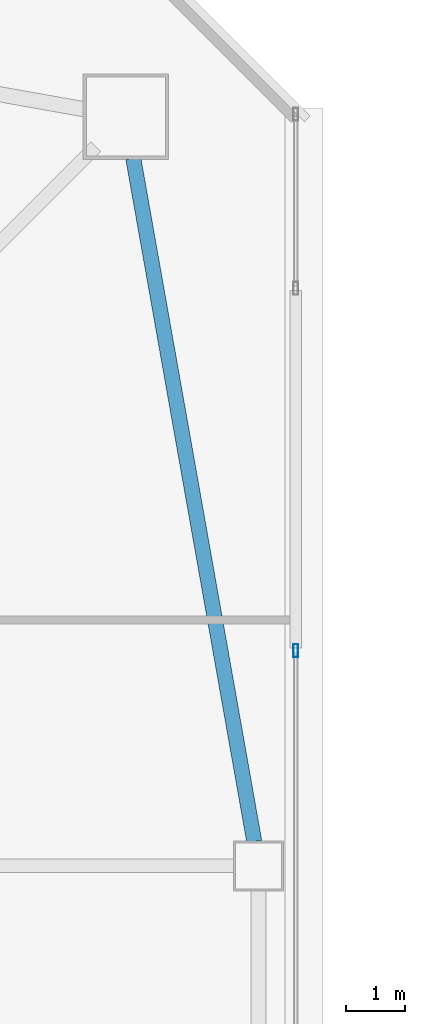
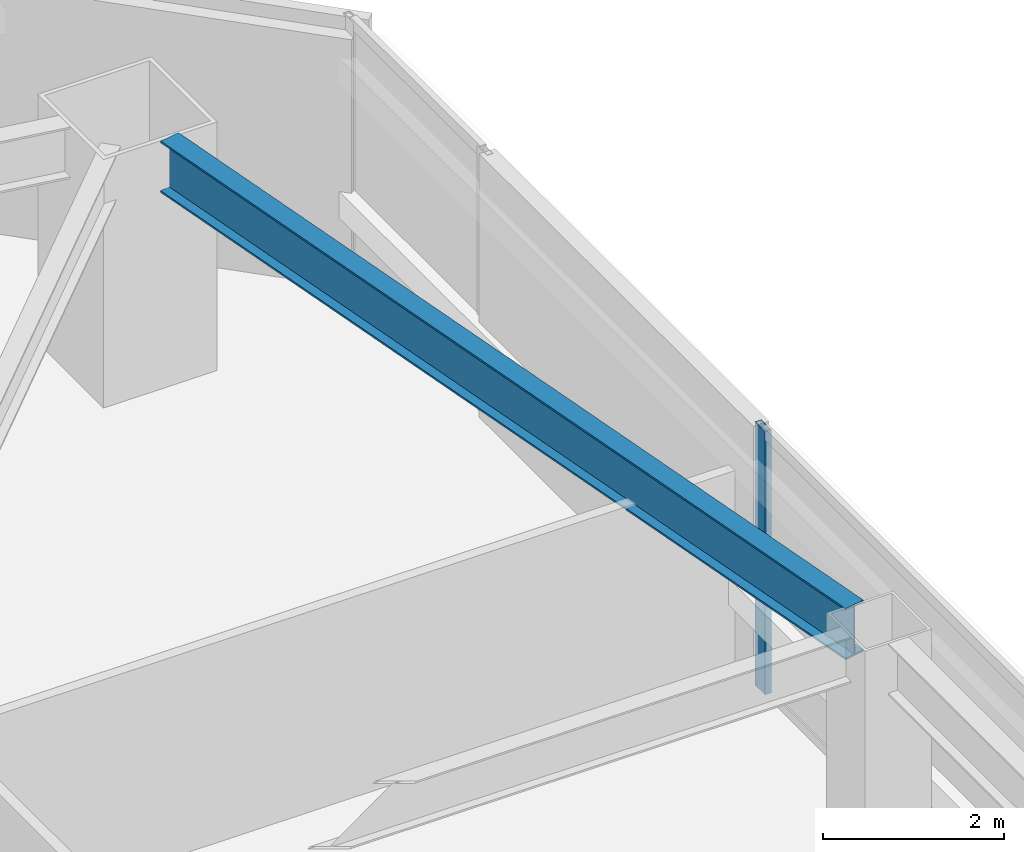
# One storey, part 17 of 48: 1 beam, 1 member, 1 element without a shape of its own.
"""IFC4 building model written with IfcOpenShell, lengths in metres."""

from ifc_helpers import new_model, si_unit, direction, frame, origin, origin_2d, place, context, subcontext, project, spatial, hollow_rectangle, i_section, extrude, material, material_profile, profile_set, type_object, element, aggregate, save


model = new_model("IFC4")

# Units and contexts
model_context = context("Model", 3, precision=1e-05, world=origin(), true_north=direction((0.0, 1.0)))
body_context = subcontext(model_context, "Body", "Model", "MODEL_VIEW")
ifc_project = project(units=[si_unit("LENGTHUNIT", "METRE"), si_unit("AREAUNIT", "SQUARE_METRE"), si_unit("VOLUMEUNIT", "CUBIC_METRE"), si_unit("PLANEANGLEUNIT", "RADIAN"), si_unit("MASSUNIT", "GRAM", prefix="KILO")], contexts=[model_context])

# Site, building, storey
site_placement = place(None, origin())
site = spatial("IfcSite", under=ifc_project, at=site_placement, CompositionType="ELEMENT")
building_placement = place(site_placement, origin())
building = spatial("IfcBuilding", under=site, at=building_placement, Name="Tashvorn Skyway Center", CompositionType="ELEMENT")
storey_placement = place(building_placement, frame((0.0, 0.0, 77.85009765625)))
storey = spatial("IfcBuildingStorey", under=building, at=storey_placement, Name="L20", CompositionType="ELEMENT", Elevation=77.85009765625)

# Beam
ifc_material_1 = material(Name="Steel ASTM A992 Grade 50", Category="steel")
ifc_material_profile_1 = material_profile(ifc_material_1, i_section(OverallWidth=0.256103515625, OverallDepth=0.693115234375, WebThickness=0.014404296875, FlangeThickness=0.023681640625, at=origin_2d()), Name="W27X114")
ifc_profile_set_1 = profile_set([ifc_material_profile_1], Name="Steel ASTM A992 Grade 50")
beam_type = type_object("IfcBeamType", Name="BM-SPANDREL-W27X114", PredefinedType="SPANDREL", material=ifc_profile_set_1)
beam_placement = place(storey_placement, frame((62.276611328125, 37.8134765625, 3.00341796875), z_axis=(-0.174437966698, 0.98466816531, 0.0), x_axis=(-0.98466816531, -0.174437966698, 0.0)))
element("IfcBeam", 1, at=beam_placement, inside=storey, type_object=beam_type, Name="Tower 1 L20 Spandrel Beam 06", PredefinedType="SPANDREL", context=body_context, shape_type="SweptSolid", body=[
    extrude(i_section(OverallWidth=0.256103515625, OverallDepth=0.693115234375, WebThickness=0.014404296875, FlangeThickness=0.023681640625, at=origin_2d()), origin(), (0.0, 0.0, 1.0), 11.7578125),
])

# Curtain wall, member
ifc_material_2 = material(Name="Thermally broken bronze-anodized aluminium 6063-T6", Category="aluminium")
curtain_wall_type = type_object("IfcCurtainWallType", Name="CW-CW-Z2", PredefinedType="NOTDEFINED", material=ifc_material_2)
curtain_wall_placement = place(storey_placement, origin())
curtain_wall = element("IfcCurtainWall", 2, at=curtain_wall_placement, inside=storey, type_object=curtain_wall_type, Name="Tower 1 L20 East Unitised Curtain Wall Glazing Group 2", PredefinedType="NOTDEFINED")
ifc_material_profile_2 = material_profile(ifc_material_2, hollow_rectangle(XDim=0.080078125, YDim=0.219970703125, WallThickness=0.0048828125, at=origin_2d()), Name="ALU-MULL-80x220")
ifc_profile_set_2 = profile_set([ifc_material_profile_2], Name="Thermally broken bronze-anodized aluminium 6063-T6")
member_type = type_object("IfcMemberType", Name="CWM-CW-Z2", PredefinedType="MULLION", material=ifc_profile_set_2)
member_placement = place(storey_placement, frame((62.97998046875, 41.050048828125, 0.0), z_axis=(0.0, 0.0, 1.0), x_axis=(1.0, 0.0, 0.0)))
member = element("IfcMember", 3, at=member_placement, type_object=member_type, Name="CW-Z2 mullion 1", PredefinedType="MULLION", context=body_context, shape_type="SweptSolid", body=[
    extrude(hollow_rectangle(XDim=0.080078125, YDim=0.219970703125, WallThickness=0.0048828125, at=origin_2d()), origin(), (0.0, 0.0, 1.0), 3.5498046875),
])
aggregate(curtain_wall, [member])

save(model, "model.ifc")
